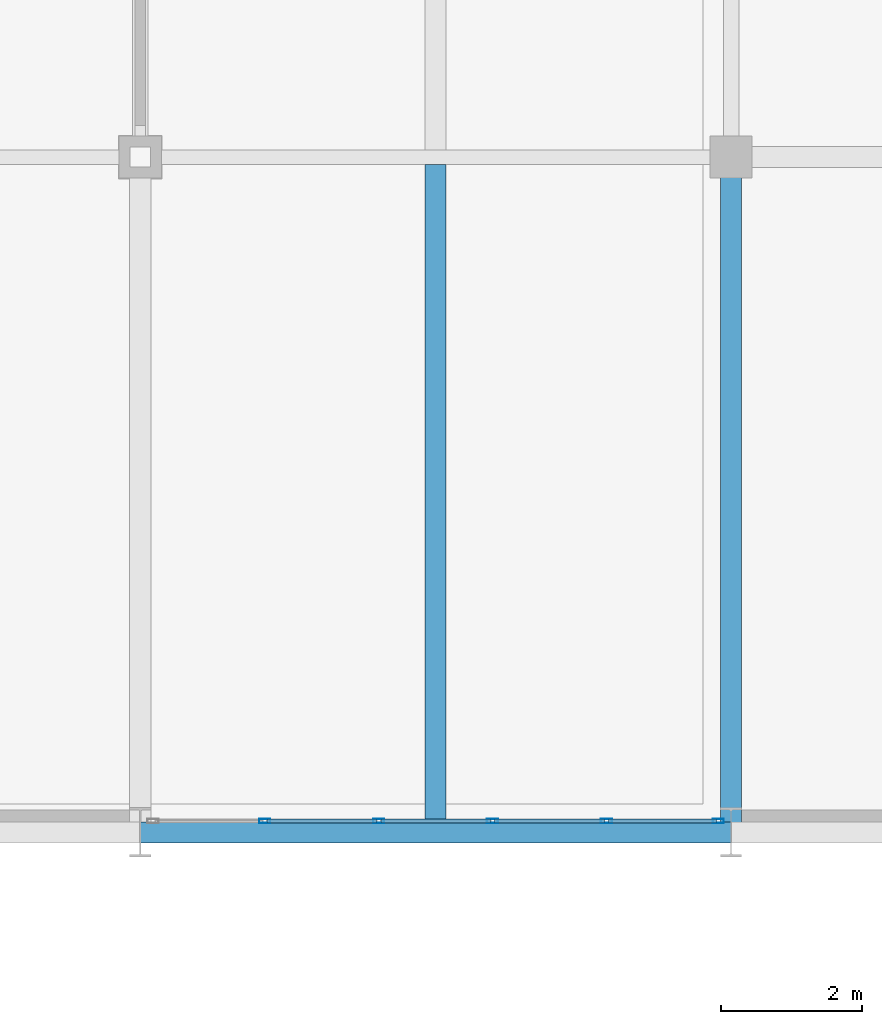
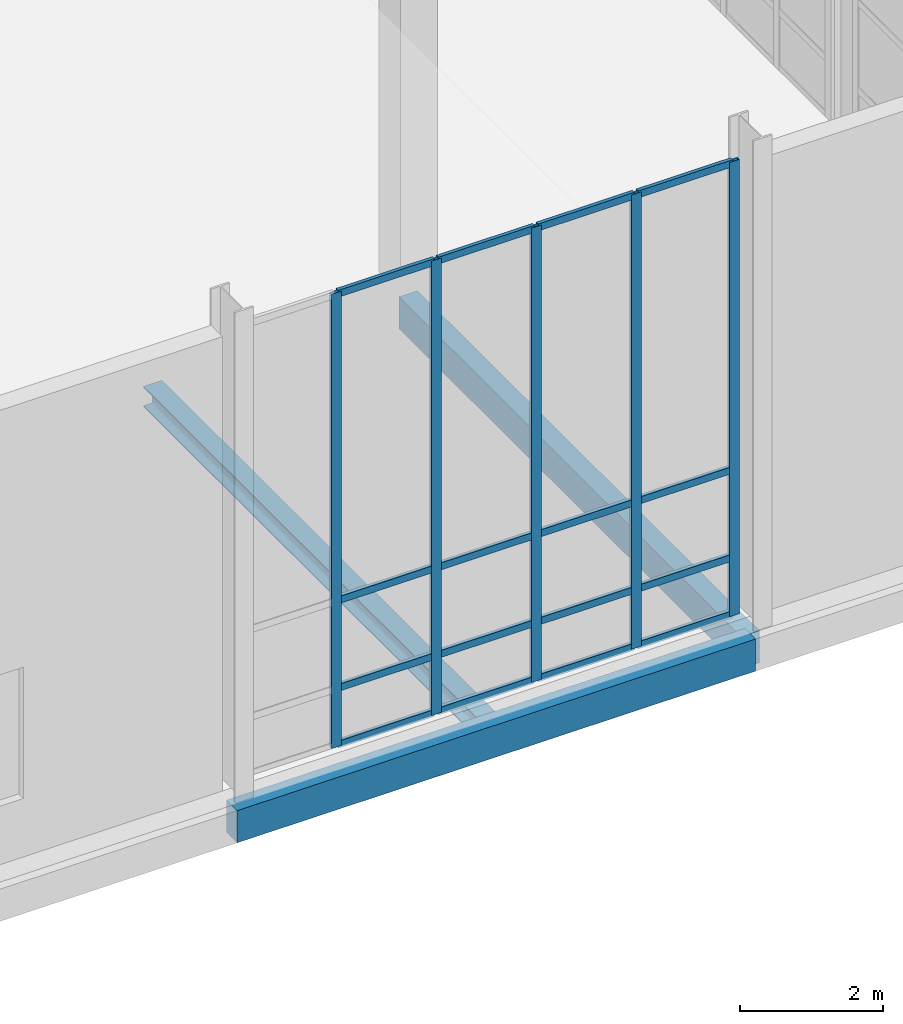
# One storey, part 85 of 131: 21 members, 3 beams, 1 element without a shape of its own.
"""IFC4 building model written with IfcOpenShell, lengths in metres."""

from ifc_helpers import new_model, si_unit, direction, frame, origin, origin_2d, place, context, subcontext, project, spatial, rectangle, hollow_rectangle, i_section, extrude, material, material_profile, profile_set, type_object, element, aggregate, save


model = new_model("IFC4")

# Units and contexts
model_context = context("Model", 3, precision=1e-05, world=origin(), true_north=direction((0.0, 1.0)))
body_context = subcontext(model_context, "Body", "Model", "MODEL_VIEW")
ifc_project = project(units=[si_unit("LENGTHUNIT", "METRE"), si_unit("AREAUNIT", "SQUARE_METRE"), si_unit("VOLUMEUNIT", "CUBIC_METRE"), si_unit("PLANEANGLEUNIT", "RADIAN"), si_unit("MASSUNIT", "GRAM", prefix="KILO")], contexts=[model_context])

# Site, building, storey
site_placement = place(None, origin())
site = spatial("IfcSite", under=ifc_project, at=site_placement, CompositionType="ELEMENT")
building_placement = place(site_placement, origin())
building = spatial("IfcBuilding", under=site, at=building_placement, Name="Veltarok Museum of Natural Sciences", CompositionType="ELEMENT")
storey_placement = place(building_placement, origin())
storey = spatial("IfcBuildingStorey", under=building, at=storey_placement, Name="L00", CompositionType="ELEMENT", Elevation=0.0)

# Curtain wall, members
ifc_material_1 = material(Name="Low-iron triple insulated glass", Category="glass")
curtain_wall_type = type_object("IfcCurtainWallType", Name="Curtain Wall System CW-V5S-L00-18-810x778 (V5 South Lab Curtain Wall L00 18-19 810x778cm)", PredefinedType="NOTDEFINED", material=ifc_material_1)
curtain_wall_placement = place(storey_placement, origin())
curtain_wall = element("IfcCurtainWall", 1, at=curtain_wall_placement, inside=storey, type_object=curtain_wall_type, Name="Curtain Wall CW-V5S-L00-18-810x778 CW-0088", PredefinedType="NOTDEFINED")
ifc_material_2 = material(Name="Thermally broken anodised aluminium", Category="aluminium")
ifc_material_profile_1 = material_profile(ifc_material_2, hollow_rectangle(XDim=0.06005859375, YDim=0.1201171875, WallThickness=0.0048828125, at=origin_2d()), Name="CW TRANSOM 60x120x5")
ifc_profile_set_1 = profile_set([ifc_material_profile_1], Name="Thermally broken anodised aluminium")
member_type_1 = type_object("IfcMemberType", Name="Curtain Wall Horizontal Transom 60x120x5", PredefinedType="USERDEFINED", material=ifc_profile_set_1)
member_1_placement = place(storey_placement, frame((151.0, 0.159912109375, 0.030029296875), z_axis=(1.0, 0.0, 0.0), x_axis=(0.0, 1.0, 0.0)))
member_1 = element("IfcMember", 2, at=member_1_placement, type_object=member_type_1, Name="CW-V5S-L00-18-810x778 transom 2.1", ObjectType="TRANSOM", PredefinedType="USERDEFINED", context=body_context, shape_type="SweptSolid", body=[
    extrude(hollow_rectangle(XDim=0.06005859375, YDim=0.1201171875, WallThickness=0.0048828125, at=origin_2d()), origin(), (0.0, 0.0, 1.0), 1.56005859375),
])
member_2_placement = place(storey_placement, frame((151.0, 0.159912109375, 1.0), z_axis=(1.0, 0.0, 0.0), x_axis=(0.0, 1.0, 0.0)))
member_2 = element("IfcMember", 3, at=member_2_placement, type_object=member_type_1, Name="CW-V5S-L00-18-810x778 transom 2.2", ObjectType="TRANSOM", PredefinedType="USERDEFINED", context=body_context, shape_type="SweptSolid", body=[
    extrude(hollow_rectangle(XDim=0.06005859375, YDim=0.1201171875, WallThickness=0.0048828125, at=origin_2d()), origin(), (0.0, 0.0, 1.0), 1.56005859375),
])
member_3_placement = place(storey_placement, frame((151.0, 0.159912109375, 2.5), z_axis=(1.0, 0.0, 0.0), x_axis=(0.0, 1.0, 0.0)))
member_3 = element("IfcMember", 4, at=member_3_placement, type_object=member_type_1, Name="CW-V5S-L00-18-810x778 transom 2.3", ObjectType="TRANSOM", PredefinedType="USERDEFINED", context=body_context, shape_type="SweptSolid", body=[
    extrude(hollow_rectangle(XDim=0.06005859375, YDim=0.1201171875, WallThickness=0.0048828125, at=origin_2d()), origin(), (0.0, 0.0, 1.0), 1.56005859375),
])
member_4_placement = place(storey_placement, frame((151.0, 0.159912109375, 7.75), z_axis=(1.0, 0.0, 0.0), x_axis=(0.0, 1.0, 0.0)))
member_4 = element("IfcMember", 5, at=member_4_placement, type_object=member_type_1, Name="CW-V5S-L00-18-810x778 transom 2.4", ObjectType="TRANSOM", PredefinedType="USERDEFINED", context=body_context, shape_type="SweptSolid", body=[
    extrude(hollow_rectangle(XDim=0.06005859375, YDim=0.1201171875, WallThickness=0.0048828125, at=origin_2d()), origin(), (0.0, 0.0, 1.0), 1.56005859375),
])
member_5_placement = place(storey_placement, frame((152.6201171875, 0.159912109375, 0.030029296875), z_axis=(1.0, 0.0, 0.0), x_axis=(0.0, 1.0, 0.0)))
member_5 = element("IfcMember", 6, at=member_5_placement, type_object=member_type_1, Name="CW-V5S-L00-18-810x778 transom 3.1", ObjectType="TRANSOM", PredefinedType="USERDEFINED", context=body_context, shape_type="SweptSolid", body=[
    extrude(hollow_rectangle(XDim=0.06005859375, YDim=0.1201171875, WallThickness=0.0048828125, at=origin_2d()), origin(), (0.0, 0.0, 1.0), 1.559814453125),
])
member_6_placement = place(storey_placement, frame((152.6201171875, 0.159912109375, 1.0), z_axis=(1.0, 0.0, 0.0), x_axis=(0.0, 1.0, 0.0)))
member_6 = element("IfcMember", 7, at=member_6_placement, type_object=member_type_1, Name="CW-V5S-L00-18-810x778 transom 3.2", ObjectType="TRANSOM", PredefinedType="USERDEFINED", context=body_context, shape_type="SweptSolid", body=[
    extrude(hollow_rectangle(XDim=0.06005859375, YDim=0.1201171875, WallThickness=0.0048828125, at=origin_2d()), origin(), (0.0, 0.0, 1.0), 1.559814453125),
])
member_7_placement = place(storey_placement, frame((152.6201171875, 0.159912109375, 2.5), z_axis=(1.0, 0.0, 0.0), x_axis=(0.0, 1.0, 0.0)))
member_7 = element("IfcMember", 8, at=member_7_placement, type_object=member_type_1, Name="CW-V5S-L00-18-810x778 transom 3.3", ObjectType="TRANSOM", PredefinedType="USERDEFINED", context=body_context, shape_type="SweptSolid", body=[
    extrude(hollow_rectangle(XDim=0.06005859375, YDim=0.1201171875, WallThickness=0.0048828125, at=origin_2d()), origin(), (0.0, 0.0, 1.0), 1.559814453125),
])
member_8_placement = place(storey_placement, frame((152.6201171875, 0.159912109375, 7.75), z_axis=(1.0, 0.0, 0.0), x_axis=(0.0, 1.0, 0.0)))
member_8 = element("IfcMember", 9, at=member_8_placement, type_object=member_type_1, Name="CW-V5S-L00-18-810x778 transom 3.4", ObjectType="TRANSOM", PredefinedType="USERDEFINED", context=body_context, shape_type="SweptSolid", body=[
    extrude(hollow_rectangle(XDim=0.06005859375, YDim=0.1201171875, WallThickness=0.0048828125, at=origin_2d()), origin(), (0.0, 0.0, 1.0), 1.559814453125),
])
member_9_placement = place(storey_placement, frame((154.239990234375, 0.159912109375, 0.030029296875), z_axis=(1.0, 0.0, 0.0), x_axis=(0.0, 1.0, 0.0)))
member_9 = element("IfcMember", 10, at=member_9_placement, type_object=member_type_1, Name="CW-V5S-L00-18-810x778 transom 4.1", ObjectType="TRANSOM", PredefinedType="USERDEFINED", context=body_context, shape_type="SweptSolid", body=[
    extrude(hollow_rectangle(XDim=0.06005859375, YDim=0.1201171875, WallThickness=0.0048828125, at=origin_2d()), origin(), (0.0, 0.0, 1.0), 1.56005859375),
])
member_10_placement = place(storey_placement, frame((154.239990234375, 0.159912109375, 1.0), z_axis=(1.0, 0.0, 0.0), x_axis=(0.0, 1.0, 0.0)))
member_10 = element("IfcMember", 11, at=member_10_placement, type_object=member_type_1, Name="CW-V5S-L00-18-810x778 transom 4.2", ObjectType="TRANSOM", PredefinedType="USERDEFINED", context=body_context, shape_type="SweptSolid", body=[
    extrude(hollow_rectangle(XDim=0.06005859375, YDim=0.1201171875, WallThickness=0.0048828125, at=origin_2d()), origin(), (0.0, 0.0, 1.0), 1.56005859375),
])
member_11_placement = place(storey_placement, frame((154.239990234375, 0.159912109375, 2.5), z_axis=(1.0, 0.0, 0.0), x_axis=(0.0, 1.0, 0.0)))
member_11 = element("IfcMember", 12, at=member_11_placement, type_object=member_type_1, Name="CW-V5S-L00-18-810x778 transom 4.3", ObjectType="TRANSOM", PredefinedType="USERDEFINED", context=body_context, shape_type="SweptSolid", body=[
    extrude(hollow_rectangle(XDim=0.06005859375, YDim=0.1201171875, WallThickness=0.0048828125, at=origin_2d()), origin(), (0.0, 0.0, 1.0), 1.56005859375),
])
member_12_placement = place(storey_placement, frame((154.239990234375, 0.159912109375, 7.75), z_axis=(1.0, 0.0, 0.0), x_axis=(0.0, 1.0, 0.0)))
member_12 = element("IfcMember", 13, at=member_12_placement, type_object=member_type_1, Name="CW-V5S-L00-18-810x778 transom 4.4", ObjectType="TRANSOM", PredefinedType="USERDEFINED", context=body_context, shape_type="SweptSolid", body=[
    extrude(hollow_rectangle(XDim=0.06005859375, YDim=0.1201171875, WallThickness=0.0048828125, at=origin_2d()), origin(), (0.0, 0.0, 1.0), 1.56005859375),
])
member_13_placement = place(storey_placement, frame((155.860107421875, 0.159912109375, 0.030029296875), z_axis=(1.0, 0.0, 0.0), x_axis=(0.0, 1.0, 0.0)))
member_13 = element("IfcMember", 14, at=member_13_placement, type_object=member_type_1, Name="CW-V5S-L00-18-810x778 transom 5.1", ObjectType="TRANSOM", PredefinedType="USERDEFINED", context=body_context, shape_type="SweptSolid", body=[
    extrude(hollow_rectangle(XDim=0.06005859375, YDim=0.1201171875, WallThickness=0.0048828125, at=origin_2d()), origin(), (0.0, 0.0, 1.0), 1.52978515625),
])
member_14_placement = place(storey_placement, frame((155.860107421875, 0.159912109375, 1.0), z_axis=(1.0, 0.0, 0.0), x_axis=(0.0, 1.0, 0.0)))
member_14 = element("IfcMember", 15, at=member_14_placement, type_object=member_type_1, Name="CW-V5S-L00-18-810x778 transom 5.2", ObjectType="TRANSOM", PredefinedType="USERDEFINED", context=body_context, shape_type="SweptSolid", body=[
    extrude(hollow_rectangle(XDim=0.06005859375, YDim=0.1201171875, WallThickness=0.0048828125, at=origin_2d()), origin(), (0.0, 0.0, 1.0), 1.52978515625),
])
member_15_placement = place(storey_placement, frame((155.860107421875, 0.159912109375, 2.5), z_axis=(1.0, 0.0, 0.0), x_axis=(0.0, 1.0, 0.0)))
member_15 = element("IfcMember", 16, at=member_15_placement, type_object=member_type_1, Name="CW-V5S-L00-18-810x778 transom 5.3", ObjectType="TRANSOM", PredefinedType="USERDEFINED", context=body_context, shape_type="SweptSolid", body=[
    extrude(hollow_rectangle(XDim=0.06005859375, YDim=0.1201171875, WallThickness=0.0048828125, at=origin_2d()), origin(), (0.0, 0.0, 1.0), 1.52978515625),
])
member_16_placement = place(storey_placement, frame((155.860107421875, 0.159912109375, 7.75), z_axis=(1.0, 0.0, 0.0), x_axis=(0.0, 1.0, 0.0)))
member_16 = element("IfcMember", 17, at=member_16_placement, type_object=member_type_1, Name="CW-V5S-L00-18-810x778 transom 5.4", ObjectType="TRANSOM", PredefinedType="USERDEFINED", context=body_context, shape_type="SweptSolid", body=[
    extrude(hollow_rectangle(XDim=0.06005859375, YDim=0.1201171875, WallThickness=0.0048828125, at=origin_2d()), origin(), (0.0, 0.0, 1.0), 1.52978515625),
])
ifc_material_profile_2 = material_profile(ifc_material_2, hollow_rectangle(XDim=0.06005859375, YDim=0.159912109375, WallThickness=0.0048828125, at=origin_2d()), Name="CW MULLION 60x160x5")
ifc_profile_set_2 = profile_set([ifc_material_profile_2], Name="Thermally broken anodised aluminium")
member_type_2 = type_object("IfcMemberType", Name="Curtain Wall Vertical Mullion 60x160x5", PredefinedType="MULLION", material=ifc_profile_set_2)
member_17_placement = place(storey_placement, frame((150.969970703125, 0.159912109375, 0.0), z_axis=(0.0, 0.0, 1.0), x_axis=(0.0, 1.0, 0.0)))
member_17 = element("IfcMember", 18, at=member_17_placement, type_object=member_type_2, Name="CW-V5S-L00-18-810x778 mullion 2", PredefinedType="MULLION", context=body_context, shape_type="SweptSolid", body=[
    extrude(hollow_rectangle(XDim=0.06005859375, YDim=0.159912109375, WallThickness=0.0048828125, at=origin_2d()), origin(), (0.0, 0.0, 1.0), 7.780029296875),
])
member_18_placement = place(storey_placement, frame((152.590087890625, 0.159912109375, 0.0), z_axis=(0.0, 0.0, 1.0), x_axis=(0.0, 1.0, 0.0)))
member_18 = element("IfcMember", 19, at=member_18_placement, type_object=member_type_2, Name="CW-V5S-L00-18-810x778 mullion 3", PredefinedType="MULLION", context=body_context, shape_type="SweptSolid", body=[
    extrude(hollow_rectangle(XDim=0.06005859375, YDim=0.159912109375, WallThickness=0.0048828125, at=origin_2d()), origin(), (0.0, 0.0, 1.0), 7.780029296875),
])
member_19_placement = place(storey_placement, frame((154.2099609375, 0.159912109375, 0.0), z_axis=(0.0, 0.0, 1.0), x_axis=(0.0, 1.0, 0.0)))
member_19 = element("IfcMember", 20, at=member_19_placement, type_object=member_type_2, Name="CW-V5S-L00-18-810x778 mullion 4", PredefinedType="MULLION", context=body_context, shape_type="SweptSolid", body=[
    extrude(hollow_rectangle(XDim=0.06005859375, YDim=0.159912109375, WallThickness=0.0048828125, at=origin_2d()), origin(), (0.0, 0.0, 1.0), 7.780029296875),
])
member_20_placement = place(storey_placement, frame((155.830078125, 0.159912109375, 0.0), z_axis=(0.0, 0.0, 1.0), x_axis=(0.0, 1.0, 0.0)))
member_20 = element("IfcMember", 21, at=member_20_placement, type_object=member_type_2, Name="CW-V5S-L00-18-810x778 mullion 5", PredefinedType="MULLION", context=body_context, shape_type="SweptSolid", body=[
    extrude(hollow_rectangle(XDim=0.06005859375, YDim=0.159912109375, WallThickness=0.0048828125, at=origin_2d()), origin(), (0.0, 0.0, 1.0), 7.780029296875),
])
member_21_placement = place(storey_placement, frame((157.419921875, 0.159912109375, 0.0), z_axis=(0.0, 0.0, 1.0), x_axis=(0.0, 1.0, 0.0)))
member_21 = element("IfcMember", 22, at=member_21_placement, type_object=member_type_2, Name="CW-V5S-L00-18-810x778 mullion 6", PredefinedType="MULLION", context=body_context, shape_type="SweptSolid", body=[
    extrude(hollow_rectangle(XDim=0.06005859375, YDim=0.159912109375, WallThickness=0.0048828125, at=origin_2d()), origin(), (0.0, 0.0, 1.0), 7.780029296875),
])
aggregate(curtain_wall, [member_17, member_18, member_19, member_20, member_21, member_1, member_2, member_3, member_4, member_5, member_6, member_7, member_8, member_9, member_10, member_11, member_12, member_13, member_14, member_15, member_16])

# Beams
ifc_material_3 = material(Name="Precast concrete C40/50", Category="concrete")
ifc_material_profile_3 = material_profile(ifc_material_3, rectangle(XDim=0.300048828125, YDim=0.550048828125, at=origin_2d()), Name="RC 300x550")
ifc_profile_set_3 = profile_set([ifc_material_profile_3], Name="Precast concrete C40/50")
beam_type_1 = type_object("IfcBeamType", Name="East Wing Precast Spandrel RC 300x550", PredefinedType="SPANDREL", material=ifc_profile_set_3)
beam_1_placement = place(storey_placement, frame((149.199951171875, 0.0, -0.574951171875), z_axis=(1.0, 0.0, 0.0), x_axis=(0.0, 1.0, 0.0)))
element("IfcBeam", 23, at=beam_1_placement, inside=storey, type_object=beam_type_1, Name="Beam BM-SP02 L00 18-19/A", PredefinedType="SPANDREL", context=body_context, shape_type="SweptSolid", body=[
    extrude(rectangle(XDim=0.300048828125, YDim=0.550048828125, at=origin_2d()), origin(), (0.0, 0.0, 1.0), 8.400146484375),
])
beam_2_placement = place(storey_placement, frame((157.60009765625, 0.0, -0.574951171875), z_axis=(0.0, 1.0, 0.0), x_axis=(-1.0, 0.0, 0.0)))
element("IfcBeam", 24, at=beam_2_placement, inside=storey, type_object=beam_type_1, Name="Beam BM-SP02 L00 19/A-B", PredefinedType="SPANDREL", context=body_context, shape_type="SweptSolid", body=[
    extrude(rectangle(XDim=0.300048828125, YDim=0.550048828125, at=origin_2d()), origin(), (0.0, 0.0, 1.0), 9.60009765625),
])
ifc_material_4 = material(Name="Steel S355J2", Category="steel")
ifc_material_profile_4 = material_profile(ifc_material_4, i_section(OverallWidth=0.300048828125, OverallDepth=0.35009765625, WebThickness=0.010009765625, FlangeThickness=0.017578125, FilletRadius=0.027099609375, at=origin_2d()), Name="HEA 360")
ifc_profile_set_4 = profile_set([ifc_material_profile_4], Name="Steel S355J2")
beam_type_2 = type_object("IfcBeamType", Name="Long-Span Gallery Joist HEA 360", PredefinedType="JOIST", material=ifc_profile_set_4)
beam_3_placement = place(storey_placement, frame((153.39990234375, 0.14794921875, -0.47509765625), z_axis=(0.0, 1.0, 0.0), x_axis=(-1.0, 0.0, 0.0)))
element("IfcBeam", 25, at=beam_3_placement, inside=storey, type_object=beam_type_2, Name="Secondary Joist BM-J07 L00 18-19/A-B.1", PredefinedType="JOIST", context=body_context, shape_type="SweptSolid", body=[
    extrude(i_section(OverallWidth=0.300048828125, OverallDepth=0.35009765625, WebThickness=0.010009765625, FlangeThickness=0.017578125, FilletRadius=0.027099609375, at=origin_2d()), origin(), (0.0, 0.0, 1.0), 9.34912109375),
])

save(model, "model.ifc")
